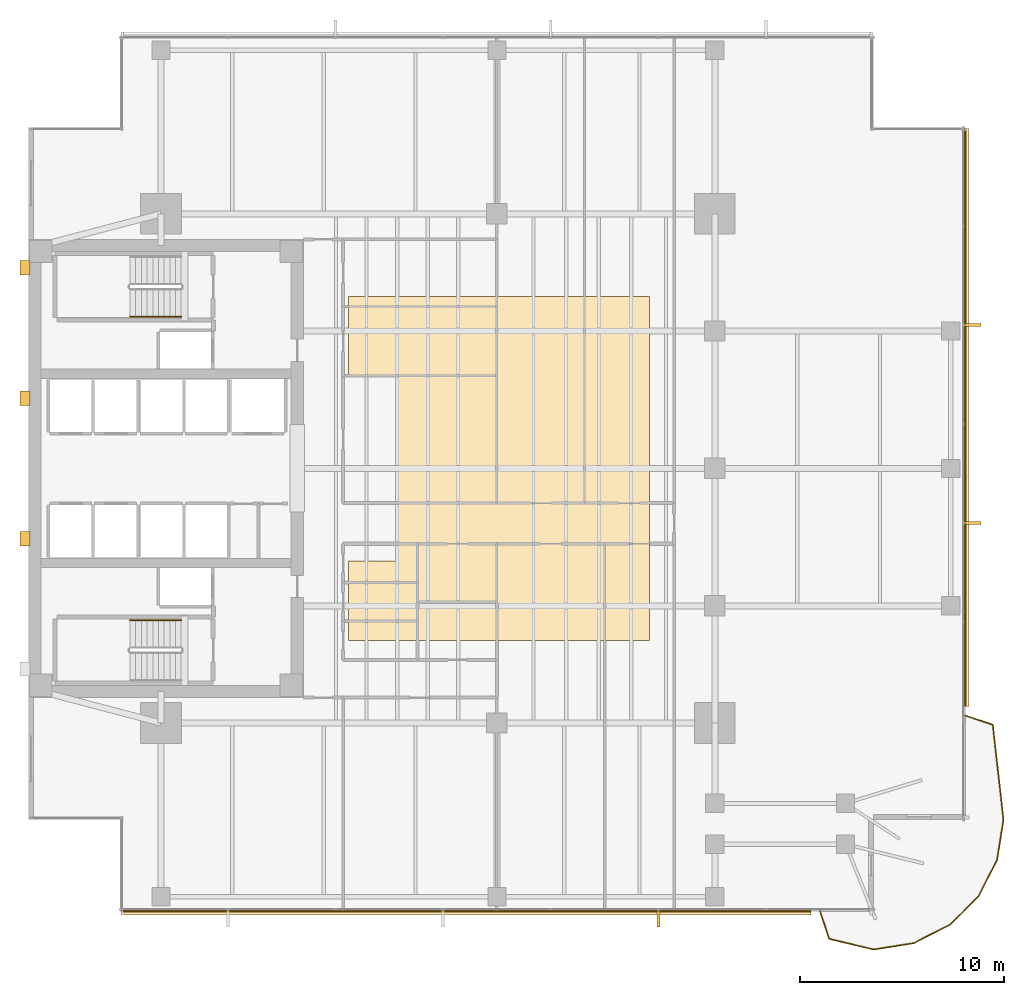
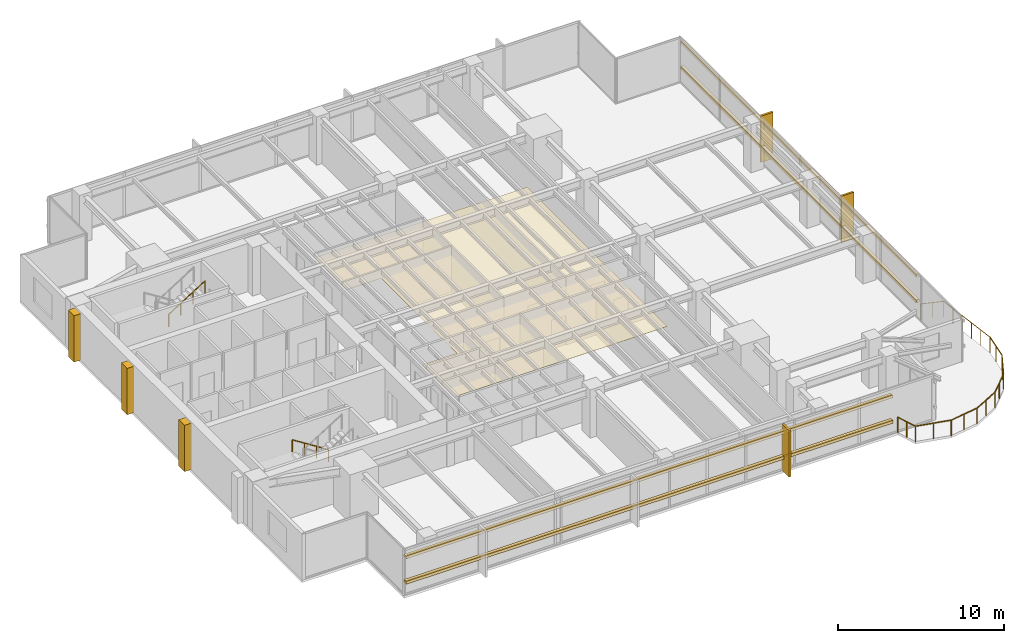
# One storey, part 12 of 14: 11 coverings, 11 railings, 4 shading devices.
"""IFC4 building model written with IfcOpenShell, lengths in metres."""

from ifc_helpers import new_model, si_unit, direction, frame, origin, origin_2d, place, context, subcontext, project, spatial, polyline, rectangle, circle, outline, extrude, material, layer, layer_set, material_profile, profile_set, type_object, element, save


model = new_model("IFC4")

# Units and contexts
model_context = context("Model", 3, precision=1e-05, world=origin(), true_north=direction((0.0, 1.0)))
body_context = subcontext(model_context, "Body", "Model", "MODEL_VIEW")
ifc_project = project(units=[si_unit("LENGTHUNIT", "METRE"), si_unit("AREAUNIT", "SQUARE_METRE"), si_unit("VOLUMEUNIT", "CUBIC_METRE"), si_unit("PLANEANGLEUNIT", "RADIAN"), si_unit("MASSUNIT", "GRAM", prefix="KILO")], contexts=[model_context])

# Site, building, storey
site_placement = place(None, origin())
site = spatial("IfcSite", under=ifc_project, at=site_placement, CompositionType="ELEMENT")
building_placement = place(site_placement, origin())
building = spatial("IfcBuilding", under=site, at=building_placement, Name="Kinhvarn Gate Tower", CompositionType="ELEMENT")
storey_placement = place(building_placement, frame((0.0, 0.0, 134.199951171875)))
storey = spatial("IfcBuildingStorey", under=building, at=storey_placement, Name="L35", CompositionType="ELEMENT", Elevation=134.199951171875)

# Coverings
ifc_material_1 = material(Name="Fired architectural terracotta", Category="masonry")
ifc_layer_1 = layer(ifc_material_1, 0.239990234375)
ifc_layer_set_1 = layer_set([ifc_layer_1], Name="Fired architectural terracotta")
covering_type_1 = type_object("IfcCoveringType", Name="COV-BAG-220", PredefinedType="CLADDING", material=ifc_layer_set_1)
covering_1_placement = place(storey_placement, frame((0.0, 0.0, 0.93994140625)))
element("IfcCovering", 1, at=covering_1_placement, inside=storey, type_object=covering_type_1, Name="Terracotta Horizontal Sunscreen Band TBG-220 (L35)", PredefinedType="CLADDING", context=body_context, shape_type="SweptSolid", body=[
    extrude(outline(polyline([(9.0400390625, 3.570068359375), (42.9140625, 3.570068359375), (42.9140625, 3.330078125), (9.0400390625, 3.330078125), (9.0400390625, 3.570068359375)])), origin(), (0.0, 0.0, 1.0), 0.22021484375),
])
covering_2_placement = place(storey_placement, frame((0.0, 0.0, 2.81005859375)))
element("IfcCovering", 2, at=covering_2_placement, inside=storey, type_object=covering_type_1, Name="Terracotta Horizontal Sunscreen Band TBG-220 (L35)", PredefinedType="CLADDING", context=body_context, shape_type="SweptSolid", body=[
    extrude(outline(polyline([(9.0400390625, 3.570068359375), (42.9140625, 3.570068359375), (42.9140625, 3.330078125), (9.0400390625, 3.330078125), (9.0400390625, 3.570068359375)])), origin(), (0.0, 0.0, 1.0), 0.219970703125),
])
covering_3_placement = place(storey_placement, frame((0.0, 0.0, 0.93994140625)))
element("IfcCovering", 3, at=covering_3_placement, inside=storey, type_object=covering_type_1, Name="Terracotta Horizontal Sunscreen Band TBG-220 (L35)", PredefinedType="CLADDING", context=body_context, shape_type="SweptSolid", body=[
    extrude(outline(polyline([(50.429931640625, 13.56396484375), (50.429931640625, 41.9599609375), (50.669921875, 41.9599609375), (50.669921875, 13.56396484375), (50.429931640625, 13.56396484375)])), origin(), (0.0, 0.0, 1.0), 0.22021484375),
])
covering_4_placement = place(storey_placement, frame((0.0, 0.0, 2.81005859375)))
element("IfcCovering", 4, at=covering_4_placement, inside=storey, type_object=covering_type_1, Name="Terracotta Horizontal Sunscreen Band TBG-220 (L35)", PredefinedType="CLADDING", context=body_context, shape_type="SweptSolid", body=[
    extrude(outline(polyline([(50.429931640625, 13.56396484375), (50.429931640625, 41.9599609375), (50.669921875, 41.9599609375), (50.669921875, 13.56396484375), (50.429931640625, 13.56396484375)])), origin(), (0.0, 0.0, 1.0), 0.219970703125),
])
ifc_material_2 = material(Name="Mineral-fibre acoustic ceiling tile")
ifc_layer_2 = layer(ifc_material_2, 0.02001953125)
ifc_layer_set_2 = layer_set([ifc_layer_2], Name="Mineral-fibre acoustic ceiling tile")
covering_type_2 = type_object("IfcCoveringType", Name="COV-CEIL-20", PredefinedType="CEILING", material=ifc_layer_set_2)
covering_5_placement = place(storey_placement, frame((0.0, 0.0, 2.650146484375)))
element("IfcCovering", 5, at=covering_5_placement, inside=storey, type_object=covering_type_2, Name="Suspended Acoustic Ceiling Tile (L35-1)", PredefinedType="CEILING", context=body_context, shape_type="SweptSolid", body=[
    extrude(outline(polyline([(35.0, 33.699951171875), (35.0, 16.800048828125), (20.199951171875, 16.800048828125), (20.199951171875, 20.699951171875), (22.60009765625, 20.699951171875), (22.60009765625, 29.800048828125), (20.199951171875, 29.800048828125), (20.199951171875, 33.699951171875), (35.0, 33.699951171875)])), origin(), (0.0, 0.0, 1.0), 0.02001953125),
])
ifc_layer_3 = layer(ifc_material_1, 0.139892578125)
ifc_layer_set_3 = layer_set([ifc_layer_3], Name="Fired architectural terracotta")
covering_type_3 = type_object("IfcCoveringType", Name="COV-FIN-850", PredefinedType="CLADDING", material=ifc_layer_set_3)
covering_6_placement = place(storey_placement, frame((0.0, 0.0, -0.02001953125)))
element("IfcCovering", 6, at=covering_6_placement, inside=storey, type_object=covering_type_3, Name="Vertical Terracotta Expressive Fin TFN-850 (L35)", PredefinedType="CLADDING", context=body_context, shape_type="SweptSolid", body=[
    extrude(outline(polyline([(35.358642578125, 3.580078125), (35.49853515625, 3.580078125), (35.49853515625, 2.72998046875), (35.358642578125, 2.72998046875), (35.358642578125, 3.580078125)])), origin(), (0.0, 0.0, 1.0), 3.41015625),
])
covering_7_placement = place(storey_placement, frame((0.0, 0.0, -0.02001953125)))
element("IfcCovering", 7, at=covering_7_placement, inside=storey, type_object=covering_type_3, Name="Vertical Terracotta Expressive Fin TFN-850 (L35)", PredefinedType="CLADDING", context=body_context, shape_type="SweptSolid", body=[
    extrude(outline(polyline([(50.419921875, 22.50146484375), (50.419921875, 22.641357421875), (51.27001953125, 22.641357421875), (51.27001953125, 22.50146484375), (50.419921875, 22.50146484375)])), origin(), (0.0, 0.0, 1.0), 3.41015625),
])
covering_8_placement = place(storey_placement, frame((0.0, 0.0, -0.02001953125)))
element("IfcCovering", 8, at=covering_8_placement, inside=storey, type_object=covering_type_3, Name="Vertical Terracotta Expressive Fin TFN-850 (L35)", PredefinedType="CLADDING", context=body_context, shape_type="SweptSolid", body=[
    extrude(outline(polyline([(50.419921875, 32.2158203125), (50.419921875, 32.355712890625), (51.27001953125, 32.355712890625), (51.27001953125, 32.2158203125), (50.419921875, 32.2158203125)])), origin(), (0.0, 0.0, 1.0), 3.41015625),
])
ifc_material_3 = material(Name="Precast white architectural concrete C40/50", Category="concrete")
ifc_layer_4 = layer(ifc_material_3, 0.47998046875)
ifc_layer_set_4 = layer_set([ifc_layer_4], Name="Precast white architectural concrete C40/50")
covering_type_4 = type_object("IfcCoveringType", Name="COV-RIB-450", PredefinedType="CLADDING", material=ifc_layer_set_4)
covering_9_placement = place(storey_placement, frame((0.0, 0.0, -0.02001953125)))
element("IfcCovering", 9, at=covering_9_placement, inside=storey, type_object=covering_type_4, Name="West Core Sculptural Concrete Relief Rib CRB-450 (L35)", PredefinedType="CLADDING", context=body_context, shape_type="SweptSolid", body=[
    extrude(outline(polyline([(4.080078125, 21.449951171875), (4.56005859375, 21.449951171875), (4.56005859375, 22.14990234375), (4.080078125, 22.14990234375), (4.080078125, 21.449951171875)])), origin(), (0.0, 0.0, 1.0), 3.41015625),
])
covering_10_placement = place(storey_placement, frame((0.0, 0.0, -0.02001953125)))
element("IfcCovering", 10, at=covering_10_placement, inside=storey, type_object=covering_type_4, Name="West Core Sculptural Concrete Relief Rib CRB-450 (L35)", PredefinedType="CLADDING", context=body_context, shape_type="SweptSolid", body=[
    extrude(outline(polyline([(4.080078125, 28.35009765625), (4.56005859375, 28.35009765625), (4.56005859375, 29.050048828125), (4.080078125, 29.050048828125), (4.080078125, 28.35009765625)])), origin(), (0.0, 0.0, 1.0), 3.41015625),
])
covering_11_placement = place(storey_placement, frame((0.0, 0.0, -0.02001953125)))
element("IfcCovering", 11, at=covering_11_placement, inside=storey, type_object=covering_type_4, Name="West Core Sculptural Concrete Relief Rib CRB-450 (L35)", PredefinedType="CLADDING", context=body_context, shape_type="SweptSolid", body=[
    extrude(outline(polyline([(4.080078125, 34.75), (4.56005859375, 34.75), (4.56005859375, 35.449951171875), (4.080078125, 35.449951171875), (4.080078125, 34.75)])), origin(), (0.0, 0.0, 1.0), 3.41015625),
])

# Railings
ifc_material_4 = material(Name="Clear low-e double glazing", Category="glass")
railing_type_1 = type_object("IfcRailingType", Name="RL-BAL-1150", PredefinedType="BALUSTRADE", material=ifc_material_4)
railing_1_placement = place(storey_placement, frame((43.364013671875, 3.5, 0.0)))
element("IfcRailing", 12, at=railing_1_placement, inside=storey, type_object=railing_type_1, Name="S-Carve Balcony Guardrail Seg 1 (L35)", PredefinedType="BALUSTRADE", context=body_context, shape_type="SweptSolid", body=[
    extrude(circle(Radius=0.02392578125, at=origin_2d()), frame((0.0, 0.0, 1.1259765625), z_axis=(0.315919200967, -0.948786097316, 0.0), x_axis=(0.948786097316, 0.315919200967, 0.0)), (0.0, 0.0, 1.0), 1.42431640625),
    extrude(circle(Radius=0.02099609375, at=origin_2d()), origin(), (0.0, 0.0, 1.0), 1.101806640625),
    extrude(circle(Radius=0.02099609375, at=origin_2d()), frame((0.22509765625, -0.67578125, 0.0)), (0.0, 0.0, 1.0), 1.101806640625),
    extrude(circle(Radius=0.02099609375, at=origin_2d()), frame((0.449951171875, -1.351318359375, 0.0)), (0.0, 0.0, 1.0), 1.101806640625),
])
railing_2_placement = place(storey_placement, frame((43.81396484375, 2.148681640625, 0.0)))
element("IfcRailing", 13, at=railing_2_placement, inside=storey, type_object=railing_type_1, Name="S-Carve Balcony Guardrail Seg 2 (L35)", PredefinedType="BALUSTRADE", context=body_context, shape_type="SweptSolid", body=[
    extrude(circle(Radius=0.02392578125, at=origin_2d()), frame((0.0, 0.0, 1.1259765625), z_axis=(0.97228766177, -0.233787730153, 0.0), x_axis=(0.233787730153, 0.97228766177, 0.0)), (0.0, 0.0, 1.0), 2.248291015625),
    extrude(circle(Radius=0.02099609375, at=origin_2d()), origin(), (0.0, 0.0, 1.0), 1.101806640625),
    extrude(circle(Radius=0.02099609375, at=origin_2d()), frame((1.093017578125, -0.2626953125, 0.0)), (0.0, 0.0, 1.0), 1.101806640625),
    extrude(circle(Radius=0.02099609375, at=origin_2d()), frame((2.18603515625, -0.525634765625, 0.0)), (0.0, 0.0, 1.0), 1.101806640625),
])
railing_3_placement = place(storey_placement, frame((46.0, 1.623046875, 0.0)))
element("IfcRailing", 14, at=railing_3_placement, inside=storey, type_object=railing_type_1, Name="S-Carve Balcony Guardrail Seg 3 (L35)", PredefinedType="BALUSTRADE", context=body_context, shape_type="SweptSolid", body=[
    extrude(circle(Radius=0.02392578125, at=origin_2d()), frame((0.0, 0.0, 1.1259765625), z_axis=(0.987697398643, 0.156377264057, 0.0), x_axis=(-0.156377264057, 0.987697398643, 0.0)), (0.0, 0.0, 1.0), 1.995361328125),
    extrude(circle(Radius=0.02099609375, at=origin_2d()), origin(), (0.0, 0.0, 1.0), 1.101806640625),
    extrude(circle(Radius=0.02099609375, at=origin_2d()), frame((0.9853515625, 0.156005859375, 0.0)), (0.0, 0.0, 1.0), 1.101806640625),
    extrude(circle(Radius=0.02099609375, at=origin_2d()), frame((1.970703125, 0.31201171875, 0.0)), (0.0, 0.0, 1.0), 1.101806640625),
])
railing_4_placement = place(storey_placement, frame((47.970703125, 1.93505859375, 0.0)))
element("IfcRailing", 15, at=railing_4_placement, inside=storey, type_object=railing_type_1, Name="S-Carve Balcony Guardrail Seg 4 (L35)", PredefinedType="BALUSTRADE", context=body_context, shape_type="SweptSolid", body=[
    extrude(circle(Radius=0.02392578125, at=origin_2d()), frame((0.0, 0.0, 1.1259765625), z_axis=(0.890999336421, 0.454004606252, 0.0), x_axis=(-0.454004606252, 0.890999336421, 0.0)), (0.0, 0.0, 1.0), 1.9951171875),
    extrude(circle(Radius=0.02099609375, at=origin_2d()), origin(), (0.0, 0.0, 1.0), 1.101806640625),
    extrude(circle(Radius=0.02099609375, at=origin_2d()), frame((0.888671875, 0.452880859375, 0.0)), (0.0, 0.0, 1.0), 1.101806640625),
    extrude(circle(Radius=0.02099609375, at=origin_2d()), frame((1.777587890625, 0.90576171875, 0.0)), (0.0, 0.0, 1.0), 1.101806640625),
])
railing_5_placement = place(storey_placement, frame((49.748291015625, 2.8408203125, 0.0)))
element("IfcRailing", 16, at=railing_5_placement, inside=storey, type_object=railing_type_1, Name="S-Carve Balcony Guardrail Seg 5 (L35)", PredefinedType="BALUSTRADE", context=body_context, shape_type="SweptSolid", body=[
    extrude(circle(Radius=0.02392578125, at=origin_2d()), frame((0.0, 0.0, 1.1259765625), z_axis=(0.707106781187, 0.707106781187, 0.0), x_axis=(-0.707106781187, 0.707106781187, 0.0)), (0.0, 0.0, 1.0), 1.995361328125),
    extrude(circle(Radius=0.02099609375, at=origin_2d()), origin(), (0.0, 0.0, 1.0), 1.101806640625),
    extrude(circle(Radius=0.02099609375, at=origin_2d()), frame((0.70556640625, 0.70556640625, 0.0)), (0.0, 0.0, 1.0), 1.101806640625),
    extrude(circle(Radius=0.02099609375, at=origin_2d()), frame((1.410888671875, 1.410888671875, 0.0)), (0.0, 0.0, 1.0), 1.101806640625),
])
railing_6_placement = place(storey_placement, frame((51.1591796875, 4.251708984375, 0.0)))
element("IfcRailing", 17, at=railing_6_placement, inside=storey, type_object=railing_type_1, Name="S-Carve Balcony Guardrail Seg 6 (L35)", PredefinedType="BALUSTRADE", context=body_context, shape_type="SweptSolid", body=[
    extrude(circle(Radius=0.02392578125, at=origin_2d()), frame((0.0, 0.0, 1.1259765625), z_axis=(0.454004606252, 0.890999336421, 0.0), x_axis=(-0.890999336421, 0.454004606252, 0.0)), (0.0, 0.0, 1.0), 1.9951171875),
    extrude(circle(Radius=0.02099609375, at=origin_2d()), origin(), (0.0, 0.0, 1.0), 1.101806640625),
    extrude(circle(Radius=0.02099609375, at=origin_2d()), frame((0.452880859375, 0.888671875, 0.0)), (0.0, 0.0, 1.0), 1.101806640625),
    extrude(circle(Radius=0.02099609375, at=origin_2d()), frame((0.90576171875, 1.777587890625, 0.0)), (0.0, 0.0, 1.0), 1.101806640625),
])
railing_7_placement = place(storey_placement, frame((52.06494140625, 6.029296875, 0.0)))
element("IfcRailing", 18, at=railing_7_placement, inside=storey, type_object=railing_type_1, Name="S-Carve Balcony Guardrail Seg 7 (L35)", PredefinedType="BALUSTRADE", context=body_context, shape_type="SweptSolid", body=[
    extrude(circle(Radius=0.02392578125, at=origin_2d()), frame((0.0, 0.0, 1.1259765625), z_axis=(0.156377264057, 0.987697398643, 0.0), x_axis=(-0.987697398643, 0.156377264057, 0.0)), (0.0, 0.0, 1.0), 1.995361328125),
    extrude(circle(Radius=0.02099609375, at=origin_2d()), origin(), (0.0, 0.0, 1.0), 1.101806640625),
    extrude(circle(Radius=0.02099609375, at=origin_2d()), frame((0.156005859375, 0.9853515625, 0.0)), (0.0, 0.0, 1.0), 1.101806640625),
    extrude(circle(Radius=0.02099609375, at=origin_2d()), frame((0.31201171875, 1.970703125, 0.0)), (0.0, 0.0, 1.0), 1.101806640625),
])
railing_8_placement = place(storey_placement, frame((52.376953125, 8.0, 0.0)))
element("IfcRailing", 19, at=railing_8_placement, inside=storey, type_object=railing_type_1, Name="S-Carve Balcony Guardrail Seg 8 (L35)", PredefinedType="BALUSTRADE", context=body_context, shape_type="SweptSolid", body=[
    extrude(circle(Radius=0.02392578125, at=origin_2d()), frame((0.0, 0.0, 1.1259765625), z_axis=(-0.111989960483, 0.993709338162, 0.0), x_axis=(-0.993709338162, -0.111989960483, 0.0)), (0.0, 0.0, 1.0), 4.693603515625),
    extrude(circle(Radius=0.02099609375, at=origin_2d()), origin(), (0.0, 0.0, 1.0), 1.101806640625),
    extrude(circle(Radius=0.02099609375, at=origin_2d()), frame((-0.105224609375, 0.932861328125, 0.0)), (0.0, 0.0, 1.0), 1.101806640625),
    extrude(circle(Radius=0.02099609375, at=origin_2d()), frame((-0.210205078125, 1.86572265625, 0.0)), (0.0, 0.0, 1.0), 1.101806640625),
    extrude(circle(Radius=0.02099609375, at=origin_2d()), frame((-0.3154296875, 2.79833984375, 0.0)), (0.0, 0.0, 1.0), 1.101806640625),
    extrude(circle(Radius=0.02099609375, at=origin_2d()), frame((-0.42041015625, 3.731201171875, 0.0)), (0.0, 0.0, 1.0), 1.101806640625),
    extrude(circle(Radius=0.02099609375, at=origin_2d()), frame((-0.525634765625, 4.6640625, 0.0)), (0.0, 0.0, 1.0), 1.101806640625),
])
railing_9_placement = place(storey_placement, frame((51.851318359375, 12.6640625, 0.0)))
element("IfcRailing", 20, at=railing_9_placement, inside=storey, type_object=railing_type_1, Name="S-Carve Balcony Guardrail Seg 9 (L35)", PredefinedType="BALUSTRADE", context=body_context, shape_type="SweptSolid", body=[
    extrude(circle(Radius=0.02392578125, at=origin_2d()), frame((0.0, 0.0, 1.1259765625), z_axis=(-0.948786097316, 0.315919200967, 0.0), x_axis=(-0.315919200967, -0.948786097316, 0.0)), (0.0, 0.0, 1.0), 1.42431640625),
    extrude(circle(Radius=0.02099609375, at=origin_2d()), origin(), (0.0, 0.0, 1.0), 1.101806640625),
    extrude(circle(Radius=0.02099609375, at=origin_2d()), frame((-0.67578125, 0.22509765625, 0.0)), (0.0, 0.0, 1.0), 1.101806640625),
    extrude(circle(Radius=0.02099609375, at=origin_2d()), frame((-1.351318359375, 0.449951171875, 0.0)), (0.0, 0.0, 1.0), 1.101806640625),
])
ifc_material_5 = material(Name="Steel S355", Category="steel")
railing_type_2 = type_object("IfcRailingType", Name="RL-ST-HND", PredefinedType="HANDRAIL", material=ifc_material_5)
railing_10_placement = place(storey_placement, frame((12.0, 17.800048828125, 0.177490234375)))
element("IfcRailing", 21, at=railing_10_placement, inside=storey, type_object=railing_type_2, Name="L35 ST1 stair handrail 1", PredefinedType="HANDRAIL", context=body_context, shape_type="SweptSolid", body=[
    extrude(circle(Radius=0.02392578125, at=origin_2d()), frame((0.0, 0.0, 0.8759765625), z_axis=(-0.84456994832, 0.0, 0.535445237532), x_axis=(0.0, -1.0, 0.0)), (0.0, 0.0, 1.0), 2.98388671875),
    extrude(circle(Radius=0.02099609375, at=origin_2d()), origin(), (0.0, 0.0, 1.0), 0.851806640625),
    extrude(circle(Radius=0.02099609375, at=origin_2d()), frame((-0.840087890625, 0.0, 0.532470703125)), (0.0, 0.0, 1.0), 0.851806640625),
    extrude(circle(Radius=0.02099609375, at=origin_2d()), frame((-1.679931640625, 0.0, 1.065185546875)), (0.0, 0.0, 1.0), 0.851806640625),
    extrude(circle(Radius=0.02099609375, at=origin_2d()), frame((-2.52001953125, 0.0, 1.59765625)), (0.0, 0.0, 1.0), 0.851806640625),
])
railing_11_placement = place(storey_placement, frame((9.47998046875, 32.699951171875, 1.95263671875)))
element("IfcRailing", 22, at=railing_11_placement, inside=storey, type_object=railing_type_2, Name="L35 ST2 stair handrail 2", PredefinedType="HANDRAIL", context=body_context, shape_type="SweptSolid", body=[
    extrude(circle(Radius=0.02392578125, at=origin_2d()), frame((0.0, 0.0, 0.8759765625), z_axis=(0.84460694969, 0.0, 0.535386869969), x_axis=(0.0, 1.0, 0.0)), (0.0, 0.0, 1.0), 2.983642578125),
    extrude(circle(Radius=0.02099609375, at=origin_2d()), origin(), (0.0, 0.0, 1.0), 0.851806640625),
    extrude(circle(Radius=0.02099609375, at=origin_2d()), frame((0.840087890625, 0.0, 0.532470703125)), (0.0, 0.0, 1.0), 0.851806640625),
    extrude(circle(Radius=0.02099609375, at=origin_2d()), frame((1.679931640625, 0.0, 1.06494140625)), (0.0, 0.0, 1.0), 0.851806640625),
    extrude(circle(Radius=0.02099609375, at=origin_2d()), frame((2.52001953125, 0.0, 1.597412109375)), (0.0, 0.0, 1.0), 0.851806640625),
])

# Shading devices
ifc_material_profile = material_profile(ifc_material_1, rectangle(XDim=0.050048828125, YDim=0.1201171875, at=origin_2d()), Name="TC 50x120")
ifc_profile_set = profile_set([ifc_material_profile], Name="Fired architectural terracotta")
shading_device_type = type_object("IfcShadingDeviceType", Name="SHD-BAG-140", PredefinedType="USERDEFINED", material=ifc_profile_set)
for number, where, z_axis, x_axis, name in (
    (23, (9.0400390625, 3.5, 1.050048828125), (1.0, 0.0, 0.0), (0.0, 1.0, 0.0), "Upper Tower Terracotta Baguette Screen Rod 50x120 mm (L35)"),
    (24, (9.0400390625, 3.5, 2.920166015625), (1.0, 0.0, 0.0), (0.0, 1.0, 0.0), "Upper Tower Terracotta Baguette Screen Rod 50x120 mm (L35)"),
):
    element("IfcShadingDevice", number, at=place(storey_placement, frame(where, z_axis=z_axis, x_axis=x_axis)), inside=storey, type_object=shading_device_type, Name=name, ObjectType="BAGUETTE", PredefinedType="USERDEFINED", context=body_context, shape_type="SweptSolid", body=[
        extrude(rectangle(XDim=0.050048828125, YDim=0.1201171875, at=origin_2d()), origin(), (0.0, 0.0, 1.0), 33.8740234375),
    ])
for number, where, z_axis, x_axis, name in (
    (25, (50.5, 13.56396484375, 1.050048828125), (0.0, 1.0, 0.0), (-1.0, 0.0, 0.0), "Upper Tower Terracotta Baguette Screen Rod 50x120 mm (L35)"),
    (26, (50.5, 13.56396484375, 2.920166015625), (0.0, 1.0, 0.0), (-1.0, 0.0, 0.0), "Upper Tower Terracotta Baguette Screen Rod 50x120 mm (L35)"),
):
    element("IfcShadingDevice", number, at=place(storey_placement, frame(where, z_axis=z_axis, x_axis=x_axis)), inside=storey, type_object=shading_device_type, Name=name, ObjectType="BAGUETTE", PredefinedType="USERDEFINED", context=body_context, shape_type="SweptSolid", body=[
        extrude(rectangle(XDim=0.050048828125, YDim=0.1201171875, at=origin_2d()), origin(), (0.0, 0.0, 1.0), 28.39599609375),
    ])

save(model, "model.ifc")
